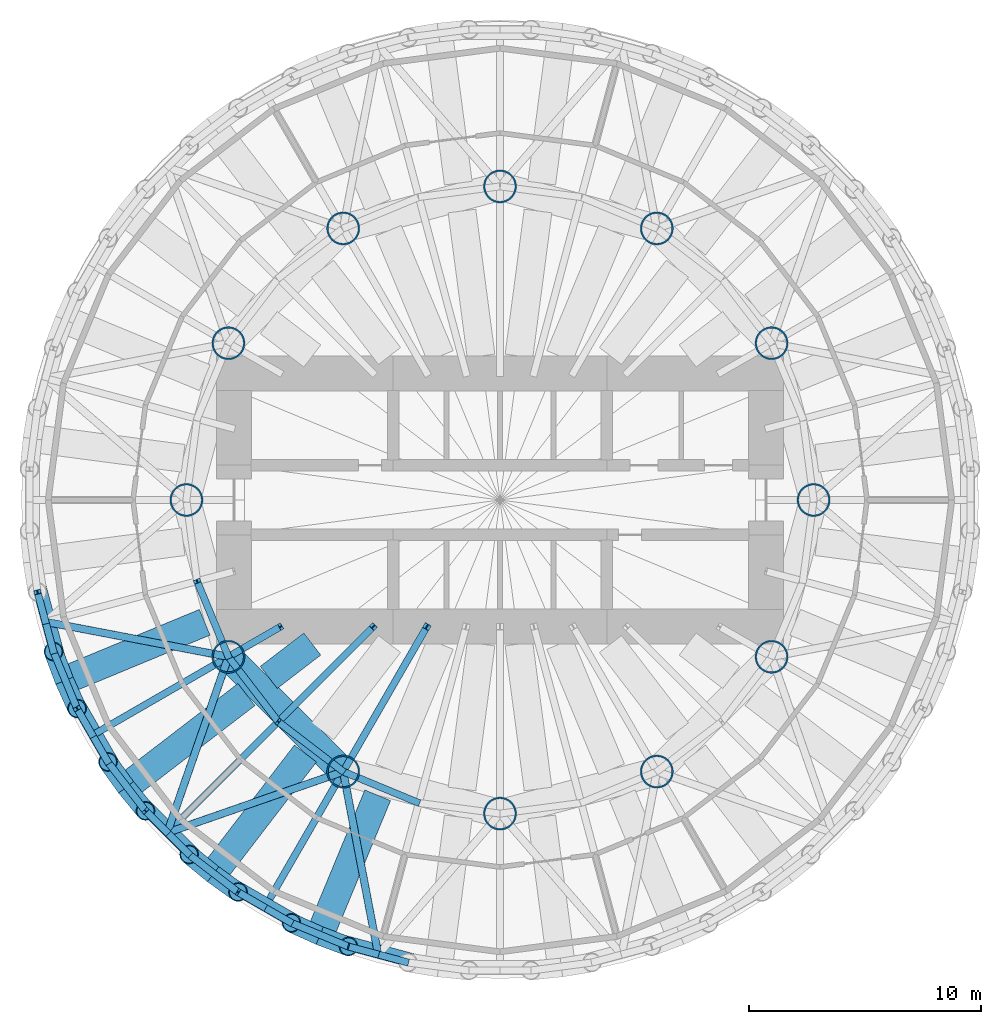
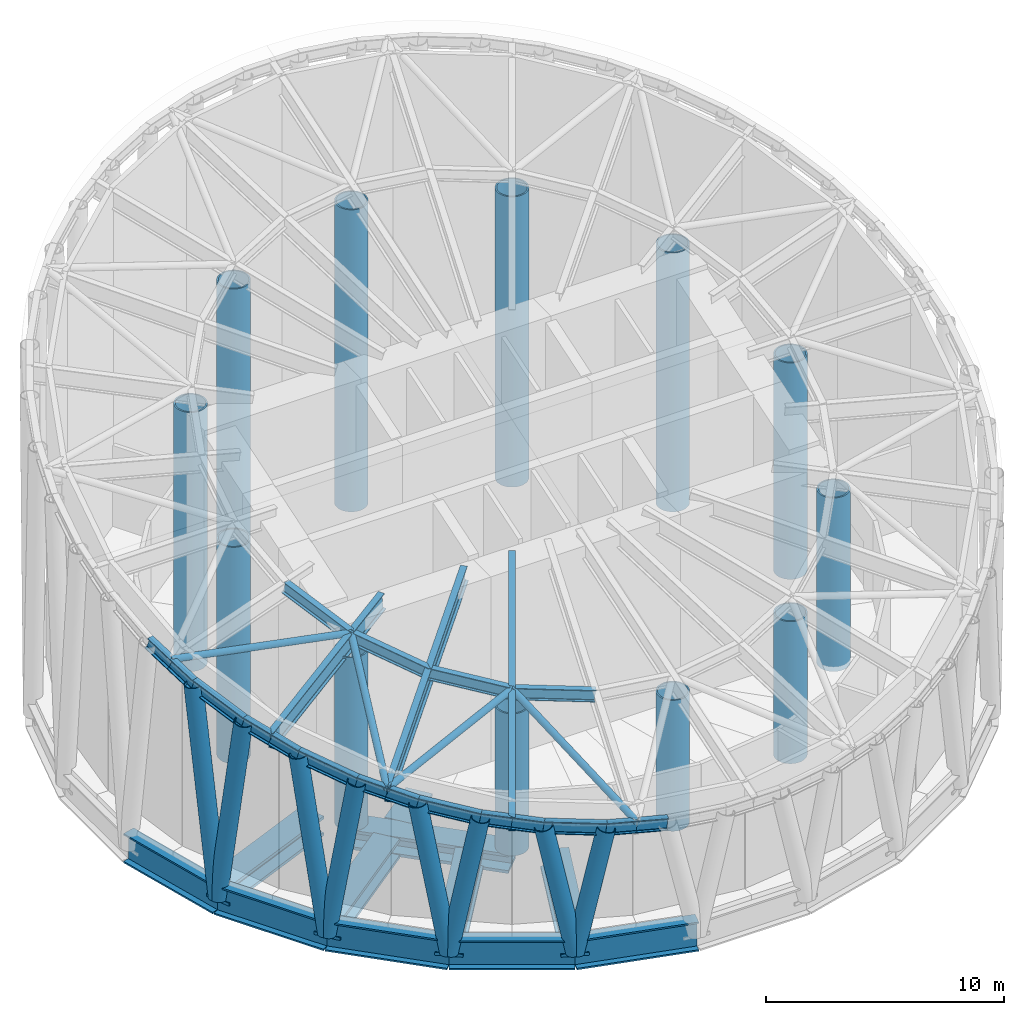
# One storey, part 1 of 9: 32 beams, 12 columns, 12 members.
"""IFC4 building model written with IfcOpenShell, lengths in metres."""

from ifc_helpers import new_model, si_unit, direction, frame, origin, origin_2d, place, context, subcontext, project, spatial, hollow_circle, i_section, extrude, material, material_profile, profile_set, type_object, element, save


model = new_model("IFC4")

# Units and contexts
model_context = context("Model", 3, precision=1e-05, world=origin(), true_north=direction((0.0, 1.0)))
body_context = subcontext(model_context, "Body", "Model", "MODEL_VIEW")
ifc_project = project(units=[si_unit("LENGTHUNIT", "METRE"), si_unit("AREAUNIT", "SQUARE_METRE"), si_unit("VOLUMEUNIT", "CUBIC_METRE"), si_unit("PLANEANGLEUNIT", "RADIAN"), si_unit("MASSUNIT", "GRAM", prefix="KILO")], contexts=[model_context])

# Site, building, storey
site_placement = place(None, origin())
site = spatial("IfcSite", under=ifc_project, at=site_placement, CompositionType="ELEMENT")
building_placement = place(site_placement, origin())
building = spatial("IfcBuilding", under=site, at=building_placement, Name="Qaws Media Tower", CompositionType="ELEMENT")
storey_placement = place(building_placement, frame((0.0, 0.0, 286.39990234375)))
storey = spatial("IfcBuildingStorey", under=building, at=storey_placement, Name="L66", CompositionType="ELEMENT", Elevation=286.39990234375)

# Columns
ifc_material_1 = material(Name="Steel S460", Category="steel")
ifc_material_profile_1 = material_profile(ifc_material_1, hollow_circle(Radius=0.7109375, WallThickness=0.070068359375, at=origin_2d()), Name="CHS 1422x70")
ifc_profile_set_1 = profile_set([ifc_material_profile_1], Name="Steel S460")
column_type = type_object("IfcColumnType", Name="Inner column CHS 1422x70", PredefinedType="COLUMN", material=ifc_profile_set_1)
column_1_placement = place(storey_placement, frame((73.5, 50.0, -0.25), z_axis=(0.0, 0.0, 1.0), x_axis=(1.0, 0.0, 0.0)))
element("IfcColumn", 1, at=column_1_placement, inside=storey, type_object=column_type, Name="C5 inner column I01 L66", PredefinedType="COLUMN", context=body_context, shape_type="SweptSolid", body=[
    extrude(hollow_circle(Radius=0.7109375, WallThickness=0.070068359375, at=origin_2d()), origin(), (0.0, 0.0, 1.0), 11.09716796875),
])
column_2_placement = place(storey_placement, frame((71.69140625, 56.75, -0.25), z_axis=(0.0, 0.0, 1.0), x_axis=(1.0, 0.0, 0.0)))
element("IfcColumn", 2, at=column_2_placement, inside=storey, type_object=column_type, Name="C5 inner column I02 L66", PredefinedType="COLUMN", context=body_context, shape_type="SweptSolid", body=[
    extrude(hollow_circle(Radius=0.7109375, WallThickness=0.070068359375, at=origin_2d()), origin(), (0.0, 0.0, 1.0), 13.28515625),
])
column_3_placement = place(storey_placement, frame((66.75, 61.69140625, -0.25), z_axis=(0.0, 0.0, 1.0), x_axis=(1.0, 0.0, 0.0)))
element("IfcColumn", 3, at=column_3_placement, inside=storey, type_object=column_type, Name="C5 inner column I03 L66", PredefinedType="COLUMN", context=body_context, shape_type="SweptSolid", body=[
    extrude(hollow_circle(Radius=0.7109375, WallThickness=0.070068359375, at=origin_2d()), origin(), (0.0, 0.0, 1.0), 14.885498046875),
])
column_4_placement = place(storey_placement, frame((60.0, 63.5, -0.25), z_axis=(0.0, 0.0, 1.0), x_axis=(1.0, 0.0, 0.0)))
element("IfcColumn", 4, at=column_4_placement, inside=storey, type_object=column_type, Name="C5 inner column I04 L66", PredefinedType="COLUMN", context=body_context, shape_type="SweptSolid", body=[
    extrude(hollow_circle(Radius=0.7109375, WallThickness=0.070068359375, at=origin_2d()), origin(), (0.0, 0.0, 1.0), 15.486083984375),
])
column_5_placement = place(storey_placement, frame((53.25, 61.69140625, -0.25), z_axis=(0.0, 0.0, 1.0), x_axis=(1.0, 0.0, 0.0)))
element("IfcColumn", 5, at=column_5_placement, inside=storey, type_object=column_type, Name="C5 inner column I05 L66", PredefinedType="COLUMN", context=body_context, shape_type="SweptSolid", body=[
    extrude(hollow_circle(Radius=0.7109375, WallThickness=0.070068359375, at=origin_2d()), origin(), (0.0, 0.0, 1.0), 14.885498046875),
])
column_6_placement = place(storey_placement, frame((48.30859375, 56.75, -0.25), z_axis=(0.0, 0.0, 1.0), x_axis=(1.0, 0.0, 0.0)))
element("IfcColumn", 6, at=column_6_placement, inside=storey, type_object=column_type, Name="C5 inner column I06 L66", PredefinedType="COLUMN", context=body_context, shape_type="SweptSolid", body=[
    extrude(hollow_circle(Radius=0.7109375, WallThickness=0.070068359375, at=origin_2d()), origin(), (0.0, 0.0, 1.0), 13.28515625),
])
column_7_placement = place(storey_placement, frame((46.5, 50.0, -0.25), z_axis=(0.0, 0.0, 1.0), x_axis=(1.0, 0.0, 0.0)))
element("IfcColumn", 7, at=column_7_placement, inside=storey, type_object=column_type, Name="C5 inner column I07 L66", PredefinedType="COLUMN", context=body_context, shape_type="SweptSolid", body=[
    extrude(hollow_circle(Radius=0.7109375, WallThickness=0.070068359375, at=origin_2d()), origin(), (0.0, 0.0, 1.0), 11.09716796875),
])
column_8_placement = place(storey_placement, frame((48.30859375, 43.25, -0.25), z_axis=(0.0, 0.0, 1.0), x_axis=(1.0, 0.0, 0.0)))
element("IfcColumn", 8, at=column_8_placement, inside=storey, type_object=column_type, Name="C5 inner column I08 L66", PredefinedType="COLUMN", context=body_context, shape_type="SweptSolid", body=[
    extrude(hollow_circle(Radius=0.7109375, WallThickness=0.070068359375, at=origin_2d()), origin(), (0.0, 0.0, 1.0), 8.898681640625),
])
column_9_placement = place(storey_placement, frame((53.25, 38.30859375, -0.25), z_axis=(0.0, 0.0, 1.0), x_axis=(1.0, 0.0, 0.0)))
element("IfcColumn", 9, at=column_9_placement, inside=storey, type_object=column_type, Name="C5 inner column I09 L66", PredefinedType="COLUMN", context=body_context, shape_type="SweptSolid", body=[
    extrude(hollow_circle(Radius=0.7109375, WallThickness=0.070068359375, at=origin_2d()), origin(), (0.0, 0.0, 1.0), 7.287841796875),
])
column_10_placement = place(storey_placement, frame((60.0, 36.5, -0.25), z_axis=(0.0, 0.0, 1.0), x_axis=(1.0, 0.0, 0.0)))
element("IfcColumn", 10, at=column_10_placement, inside=storey, type_object=column_type, Name="C5 inner column I10 L66", PredefinedType="COLUMN", context=body_context, shape_type="SweptSolid", body=[
    extrude(hollow_circle(Radius=0.7109375, WallThickness=0.070068359375, at=origin_2d()), origin(), (0.0, 0.0, 1.0), 6.713134765625),
])
column_11_placement = place(storey_placement, frame((66.75, 38.30859375, -0.25), z_axis=(0.0, 0.0, 1.0), x_axis=(1.0, 0.0, 0.0)))
element("IfcColumn", 11, at=column_11_placement, inside=storey, type_object=column_type, Name="C5 inner column I11 L66", PredefinedType="COLUMN", context=body_context, shape_type="SweptSolid", body=[
    extrude(hollow_circle(Radius=0.7109375, WallThickness=0.070068359375, at=origin_2d()), origin(), (0.0, 0.0, 1.0), 7.287841796875),
])
column_12_placement = place(storey_placement, frame((71.69140625, 43.25, -0.25), z_axis=(0.0, 0.0, 1.0), x_axis=(1.0, 0.0, 0.0)))
element("IfcColumn", 12, at=column_12_placement, inside=storey, type_object=column_type, Name="C5 inner column I12 L66", PredefinedType="COLUMN", context=body_context, shape_type="SweptSolid", body=[
    extrude(hollow_circle(Radius=0.7109375, WallThickness=0.070068359375, at=origin_2d()), origin(), (0.0, 0.0, 1.0), 8.898681640625),
])

# Members
ifc_material_2 = material(Name="Steel S355", Category="steel")
ifc_material_profile_2 = material_profile(ifc_material_2, hollow_circle(Radius=0.406494140625, WallThickness=0.0400390625, at=origin_2d()), Name="CHS 813x40")
ifc_profile_set_2 = profile_set([ifc_material_profile_2], Name="Steel S355")
member_type_1 = type_object("IfcMemberType", Name="Crown diagrid member CHS 813x40", PredefinedType="USERDEFINED", material=ifc_profile_set_2)
member_1_placement = place(storey_placement, frame((41.245361328125, 42.2314453125, -1.0), z_axis=(0.057027765099, -0.1258929193, 0.990403355648), x_axis=(0.910900743687, 0.412625538656, 0.0)))
element("IfcMember", 13, at=member_1_placement, inside=storey, type_object=member_type_1, Name="DG5 crown diagrid A14", ObjectType="DIAGRID", PredefinedType="USERDEFINED", context=body_context, shape_type="SweptSolid", body=[
    extrude(hollow_circle(Radius=0.406494140625, WallThickness=0.0400390625, at=origin_2d()), origin(), (0.0, 0.0, 1.0), 9.611083984375),
])
member_2_placement = place(storey_placement, frame((41.245361328125, 42.2314453125, -1.0), z_axis=(-0.044997898047, 0.119548406235, 0.991808130506), x_axis=(-0.935898018612, -0.352271058645, 0.0)))
element("IfcMember", 14, at=member_2_placement, inside=storey, type_object=member_type_1, Name="DG5 crown diagrid B14", ObjectType="DIAGRID", PredefinedType="USERDEFINED", context=body_context, shape_type="SweptSolid", body=[
    extrude(hollow_circle(Radius=0.406494140625, WallThickness=0.0400390625, at=origin_2d()), origin(), (0.0, 0.0, 1.0), 10.40087890625),
])
member_3_placement = place(storey_placement, frame((43.89501953125, 37.64208984375, -1.0), z_axis=(0.102806764596, -0.125298537204, 0.986778113726), x_axis=(0.773080303717, 0.634308161704, 0.0)))
element("IfcMember", 15, at=member_3_placement, inside=storey, type_object=member_type_1, Name="DG5 crown diagrid A15", ObjectType="DIAGRID", PredefinedType="USERDEFINED", context=body_context, shape_type="SweptSolid", body=[
    extrude(hollow_circle(Radius=0.406494140625, WallThickness=0.0400390625, at=origin_2d()), origin(), (0.0, 0.0, 1.0), 8.1953125),
])
member_4_placement = place(storey_placement, frame((43.89501953125, 37.64208984375, -1.0), z_axis=(-0.087237070929, 0.121719105589, 0.988723496631), x_axis=(-0.812801175395, -0.582541199639, 0.0)))
element("IfcMember", 16, at=member_4_placement, inside=storey, type_object=member_type_1, Name="DG5 crown diagrid B15", ObjectType="DIAGRID", PredefinedType="USERDEFINED", context=body_context, shape_type="SweptSolid", body=[
    extrude(hollow_circle(Radius=0.406494140625, WallThickness=0.0400390625, at=origin_2d()), origin(), (0.0, 0.0, 1.0), 8.87158203125),
])
member_5_placement = place(storey_placement, frame((47.64208984375, 33.89501953125, -1.0), z_axis=(0.152573445838, -0.109350627019, 0.98222389708), x_axis=(0.582541199639, 0.812801175395, 0.0)))
element("IfcMember", 17, at=member_5_placement, inside=storey, type_object=member_type_1, Name="DG5 crown diagrid A16", ObjectType="DIAGRID", PredefinedType="USERDEFINED", context=body_context, shape_type="SweptSolid", body=[
    extrude(hollow_circle(Radius=0.406494140625, WallThickness=0.0400390625, at=origin_2d()), origin(), (0.0, 0.0, 1.0), 7.077392578125),
])
member_6_placement = place(storey_placement, frame((47.64208984375, 33.89501953125, -1.0), z_axis=(-0.135217273694, 0.110945033647, 0.984584932042), x_axis=(-0.634308161704, -0.773080303717, 0.0)))
element("IfcMember", 18, at=member_6_placement, inside=storey, type_object=member_type_1, Name="DG5 crown diagrid B16", ObjectType="DIAGRID", PredefinedType="USERDEFINED", context=body_context, shape_type="SweptSolid", body=[
    extrude(hollow_circle(Radius=0.406494140625, WallThickness=0.0400390625, at=origin_2d()), origin(), (0.0, 0.0, 1.0), 7.593994140625),
])
member_7_placement = place(storey_placement, frame((52.2314453125, 31.245361328125, -1.0), z_axis=(0.196395214799, -0.073922958329, 0.977734276701), x_axis=(0.352271058645, 0.935898018612, 0.0)))
element("IfcMember", 19, at=member_7_placement, inside=storey, type_object=member_type_1, Name="DG5 crown diagrid A17", ObjectType="DIAGRID", PredefinedType="USERDEFINED", context=body_context, shape_type="SweptSolid", body=[
    extrude(hollow_circle(Radius=0.406494140625, WallThickness=0.0400390625, at=origin_2d()), origin(), (0.0, 0.0, 1.0), 6.3310546875),
])
member_8_placement = place(storey_placement, frame((52.2314453125, 31.245361328125, -1.0), z_axis=(-0.181834427022, 0.082368500538, 0.979873293477), x_axis=(-0.412625538656, -0.910900743687, 0.0)))
element("IfcMember", 20, at=member_8_placement, inside=storey, type_object=member_type_1, Name="DG5 crown diagrid B17", ObjectType="DIAGRID", PredefinedType="USERDEFINED", context=body_context, shape_type="SweptSolid", body=[
    extrude(hollow_circle(Radius=0.406494140625, WallThickness=0.0400390625, at=origin_2d()), origin(), (0.0, 0.0, 1.0), 6.654296875),
])

# Beams
ifc_material_3 = material(Name="Steel S355", Category="steel")
ifc_material_profile_3 = material_profile(ifc_material_3, i_section(OverallWidth=0.304931640625, OverallDepth=0.6201171875, WebThickness=0.02099609375, FlangeThickness=0.0400390625, FilletRadius=0.027099609375, at=origin_2d()), Name="HE 600 M")
ifc_profile_set_3 = profile_set([ifc_material_profile_3], Name="Steel S355")
beam_type_1 = type_object("IfcBeamType", Name="Crown edge beam HE 600 M", PredefinedType="BEAM", material=ifc_profile_set_3)
beam_1_placement = place(storey_placement, frame((40.090087890625, 46.03955078125, 10.149169921875), z_axis=(0.246891496102, -0.921587873153, -0.299533606145), x_axis=(0.965938200976, 0.258772857725, 0.0)))
element("IfcBeam", 21, at=beam_1_placement, inside=storey, type_object=beam_type_1, Name="B5 crown edge beam 26 part a", PredefinedType="BEAM", context=body_context, shape_type="SweptSolid", body=[
    extrude(i_section(OverallWidth=0.304931640625, OverallDepth=0.6201171875, WebThickness=0.02099609375, FlangeThickness=0.0400390625, FilletRadius=0.027099609375, at=origin_2d()), origin(), (0.0, 0.0, 1.0), 1.391357421875),
])
beam_2_placement = place(storey_placement, frame((40.43359375, 44.75732421875, 9.732421875), z_axis=(0.247016319805, -0.921574380637, -0.299472200218), x_axis=(0.965904544249, 0.258898457701, 0.0)))
element("IfcBeam", 22, at=beam_2_placement, inside=storey, type_object=beam_type_1, Name="B5 crown edge beam 26 part b", PredefinedType="BEAM", context=body_context, shape_type="SweptSolid", body=[
    extrude(i_section(OverallWidth=0.304931640625, OverallDepth=0.6201171875, WebThickness=0.02099609375, FlangeThickness=0.0400390625, FilletRadius=0.027099609375, at=origin_2d()), origin(), (0.0, 0.0, 1.0), 1.3916015625),
])
beam_3_placement = place(storey_placement, frame((40.77734375, 43.474853515625, 9.315673828125), z_axis=(0.366502850837, -0.884908012509, -0.287425589893), x_axis=(0.923893577046, 0.382649524099, 0.0)))
element("IfcBeam", 23, at=beam_3_placement, inside=storey, type_object=beam_type_1, Name="B5 crown edge beam 27", PredefinedType="BEAM", context=body_context, shape_type="SweptSolid", body=[
    extrude(i_section(OverallWidth=0.304931640625, OverallDepth=0.6201171875, WebThickness=0.02099609375, FlangeThickness=0.0400390625, FilletRadius=0.027099609375, at=origin_2d()), origin(), (0.0, 0.0, 1.0), 2.7724609375),
])
beam_4_placement = place(storey_placement, frame((41.79345703125, 41.021484375, 8.518798828125), z_axis=(0.481321096463, -0.833593616493, -0.271019712646), x_axis=(0.866004891035, 0.500035527442, 0.0)))
element("IfcBeam", 24, at=beam_4_placement, inside=storey, type_object=beam_type_1, Name="B5 crown edge beam 28 part a", PredefinedType="BEAM", context=body_context, shape_type="SweptSolid", body=[
    extrude(i_section(OverallWidth=0.304931640625, OverallDepth=0.6201171875, WebThickness=0.02099609375, FlangeThickness=0.0400390625, FilletRadius=0.027099609375, at=origin_2d()), origin(), (0.0, 0.0, 1.0), 1.379150390625),
])
beam_5_placement = place(storey_placement, frame((42.457275390625, 39.871826171875, 8.14501953125), z_axis=(0.48127315493, -0.833687590923, -0.270815714249), x_axis=(0.866050862637, 0.499955901382, 0.0)))
element("IfcBeam", 25, at=beam_5_placement, inside=storey, type_object=beam_type_1, Name="B5 crown edge beam 28 part b", PredefinedType="BEAM", context=body_context, shape_type="SweptSolid", body=[
    extrude(i_section(OverallWidth=0.304931640625, OverallDepth=0.6201171875, WebThickness=0.02099609375, FlangeThickness=0.0400390625, FilletRadius=0.027099609375, at=origin_2d()), origin(), (0.0, 0.0, 1.0), 1.37939453125),
])
beam_6_placement = place(storey_placement, frame((43.12109375, 38.721923828125, 7.771484375), z_axis=(0.589472117613, -0.768245718604, -0.249642020508), x_axis=(0.793365088638, 0.608746117959, 0.0)))
element("IfcBeam", 26, at=beam_6_placement, inside=storey, type_object=beam_type_1, Name="B5 crown edge beam 29", PredefinedType="BEAM", context=body_context, shape_type="SweptSolid", body=[
    extrude(i_section(OverallWidth=0.304931640625, OverallDepth=0.6201171875, WebThickness=0.02099609375, FlangeThickness=0.0400390625, FilletRadius=0.027099609375, at=origin_2d()), origin(), (0.0, 0.0, 1.0), 2.7421875),
])
for number, where, z_axis, x_axis, name in (
    (27, (44.737548828125, 36.615234375, 7.0869140625), (0.689254594814, -0.689075381451, -0.223837490619), (0.707014835699, 0.70719871472, 0.0), "B5 crown edge beam 30 part a"),
    (28, (45.676513671875, 35.676513671875, 6.781982421875), (0.689075381451, -0.689254594814, -0.223837490619), (0.70719871472, 0.707014835699, 0.0), "B5 crown edge beam 30 part b"),
):
    element("IfcBeam", number, at=place(storey_placement, frame(where, z_axis=z_axis, x_axis=x_axis)), inside=storey, type_object=beam_type_1, Name=name, PredefinedType="BEAM", context=body_context, shape_type="SweptSolid", body=[
        extrude(i_section(OverallWidth=0.304931640625, OverallDepth=0.6201171875, WebThickness=0.02099609375, FlangeThickness=0.0400390625, FilletRadius=0.027099609375, at=origin_2d()), origin(), (0.0, 0.0, 1.0), 1.3623046875),
    ])
beam_7_placement = place(storey_placement, frame((46.615234375, 34.737548828125, 6.47705078125), z_axis=(0.778277328029, -0.597169334672, -0.194095817582), x_axis=(0.608746117959, 0.793365088638, 0.0)))
element("IfcBeam", 29, at=beam_7_placement, inside=storey, type_object=beam_type_1, Name="B5 crown edge beam 31", PredefinedType="BEAM", context=body_context, shape_type="SweptSolid", body=[
    extrude(i_section(OverallWidth=0.304931640625, OverallDepth=0.6201171875, WebThickness=0.02099609375, FlangeThickness=0.0400390625, FilletRadius=0.027099609375, at=origin_2d()), origin(), (0.0, 0.0, 1.0), 2.706787109375),
])
beam_8_placement = place(storey_placement, frame((48.721923828125, 33.12109375, 5.95166015625), z_axis=(0.854856602064, -0.493493652019, -0.16026292561), x_axis=(0.499955901382, 0.866050862637, 0.0)))
element("IfcBeam", 30, at=beam_8_placement, inside=storey, type_object=beam_type_1, Name="B5 crown edge beam 32 part a", PredefinedType="BEAM", context=body_context, shape_type="SweptSolid", body=[
    extrude(i_section(OverallWidth=0.304931640625, OverallDepth=0.6201171875, WebThickness=0.02099609375, FlangeThickness=0.0400390625, FilletRadius=0.027099609375, at=origin_2d()), origin(), (0.0, 0.0, 1.0), 1.34521484375),
])
beam_9_placement = place(storey_placement, frame((49.871826171875, 32.457275390625, 5.736083984375), z_axis=(0.854782842826, -0.493555861042, -0.160464649195), x_axis=(0.500035527442, 0.866004891035, 0.0)))
element("IfcBeam", 31, at=beam_9_placement, inside=storey, type_object=beam_type_1, Name="B5 crown edge beam 32 part b", PredefinedType="BEAM", context=body_context, shape_type="SweptSolid", body=[
    extrude(i_section(OverallWidth=0.304931640625, OverallDepth=0.6201171875, WebThickness=0.02099609375, FlangeThickness=0.0400390625, FilletRadius=0.027099609375, at=origin_2d()), origin(), (0.0, 0.0, 1.0), 1.344970703125),
])
beam_10_placement = place(storey_placement, frame((51.021484375, 31.79345703125, 5.520263671875), z_axis=(0.916837778434, -0.379727220006, -0.123352042635), x_axis=(0.382649524099, 0.923893577046, 0.0)))
element("IfcBeam", 32, at=beam_10_placement, inside=storey, type_object=beam_type_1, Name="B5 crown edge beam 33", PredefinedType="BEAM", context=body_context, shape_type="SweptSolid", body=[
    extrude(i_section(OverallWidth=0.304931640625, OverallDepth=0.6201171875, WebThickness=0.02099609375, FlangeThickness=0.0400390625, FilletRadius=0.027099609375, at=origin_2d()), origin(), (0.0, 0.0, 1.0), 2.67578125),
])
beam_11_placement = place(storey_placement, frame((53.474853515625, 30.77734375, 5.190185546875), z_axis=(0.962497434168, -0.257985225073, -0.083918489406), x_axis=(0.258898457701, 0.965904544249, 0.0)))
element("IfcBeam", 33, at=beam_11_placement, inside=storey, type_object=beam_type_1, Name="B5 crown edge beam 34 part a", PredefinedType="BEAM", context=body_context, shape_type="SweptSolid", body=[
    extrude(i_section(OverallWidth=0.304931640625, OverallDepth=0.6201171875, WebThickness=0.02099609375, FlangeThickness=0.0400390625, FilletRadius=0.027099609375, at=origin_2d()), origin(), (0.0, 0.0, 1.0), 1.33251953125),
])
beam_12_placement = place(storey_placement, frame((54.75732421875, 30.43359375, 5.078369140625), z_axis=(0.962544235999, -0.257863621487, -0.083755277199), x_axis=(0.258772857725, 0.965938200976, 0.0)))
element("IfcBeam", 34, at=beam_12_placement, inside=storey, type_object=beam_type_1, Name="B5 crown edge beam 34 part b", PredefinedType="BEAM", context=body_context, shape_type="SweptSolid", body=[
    extrude(i_section(OverallWidth=0.304931640625, OverallDepth=0.6201171875, WebThickness=0.02099609375, FlangeThickness=0.0400390625, FilletRadius=0.027099609375, at=origin_2d()), origin(), (0.0, 0.0, 1.0), 1.33203125),
])
ifc_material_4 = material(Name="Steel S355", Category="steel")
ifc_material_profile_4 = material_profile(ifc_material_4, i_section(OverallWidth=0.300048828125, OverallDepth=0.89990234375, WebThickness=0.0185546875, FlangeThickness=0.034912109375, FilletRadius=0.030029296875, at=origin_2d()), Name="HE 900 B")
ifc_profile_set_4 = profile_set([ifc_material_profile_4], Name="Steel S355")
beam_type_2 = type_object("IfcBeamType", Name="Crown rafter HE 900 B", PredefinedType="BEAM", material=ifc_profile_set_4)
beam_13_placement = place(storey_placement, frame((50.560302734375, 44.550048828125, 9.527099609375), z_axis=(-0.854821637434, -0.493524923667, -0.160353103786), x_axis=(0.499995001195, -0.866028289827, 0.0)))
element("IfcBeam", 35, at=beam_13_placement, inside=storey, type_object=beam_type_2, Name="B4 crown rafter 15", PredefinedType="BEAM", context=body_context, shape_type="SweptSolid", body=[
    extrude(i_section(OverallWidth=0.300048828125, OverallDepth=0.89990234375, WebThickness=0.0185546875, FlangeThickness=0.034912109375, FilletRadius=0.030029296875, at=origin_2d()), origin(), (0.0, 0.0, 1.0), 9.479248046875),
])
beam_14_placement = place(storey_placement, frame((54.550048828125, 44.550048828125, 9.529052734375), z_axis=(-0.689150386307, -0.689150386307, -0.223927421512), x_axis=(0.707106781187, -0.707106781187, 0.0)))
element("IfcBeam", 36, at=beam_14_placement, inside=storey, type_object=beam_type_2, Name="B4 crown rafter 16", PredefinedType="BEAM", context=body_context, shape_type="SweptSolid", body=[
    extrude(i_section(OverallWidth=0.300048828125, OverallDepth=0.89990234375, WebThickness=0.0185546875, FlangeThickness=0.034912109375, FilletRadius=0.030029296875, at=origin_2d()), origin(), (0.0, 0.0, 1.0), 12.8759765625),
])
beam_15_placement = place(storey_placement, frame((56.853515625, 44.550048828125, 9.533203125), z_axis=(-0.48130603486, -0.83365564635, -0.270855614889), x_axis=(0.8660277775, -0.499995888581, 0.0)))
element("IfcBeam", 37, at=beam_15_placement, inside=storey, type_object=beam_type_2, Name="B4 crown rafter 17", PredefinedType="BEAM", context=body_context, shape_type="SweptSolid", body=[
    extrude(i_section(OverallWidth=0.300048828125, OverallDepth=0.89990234375, WebThickness=0.0185546875, FlangeThickness=0.034912109375, FilletRadius=0.030029296875, at=origin_2d()), origin(), (0.0, 0.0, 1.0), 14.505615234375),
])

# Members
ifc_material_5 = material(Name="Steel S355", Category="steel")
ifc_material_profile_5 = material_profile(ifc_material_5, hollow_circle(Radius=0.161865234375, WallThickness=0.01611328125, at=origin_2d()), Name="CHS 323.9x16")
ifc_profile_set_5 = profile_set([ifc_material_profile_5], Name="Steel S355")
member_type_2 = type_object("IfcMemberType", Name="Crown roof brace CHS 323.9x16", PredefinedType="BRACE", material=ifc_profile_set_5)
member_9_placement = place(storey_placement, frame((48.30859375, 43.25, 9.432373046875), z_axis=(-0.980343185133, 0.187643812779, 0.060967523232), x_axis=(-0.187993527685, -0.982170267086, 0.0)))
element("IfcMember", 38, at=member_9_placement, inside=storey, type_object=member_type_2, Name="CB1 crown roof brace 14", PredefinedType="BRACE", context=body_context, shape_type="SweptSolid", body=[
    extrude(hollow_circle(Radius=0.161865234375, WallThickness=0.01611328125, at=origin_2d()), origin(), (0.0, 0.0, 1.0), 8.032958984375),
])
member_10_placement = place(storey_placement, frame((48.30859375, 43.25, 9.432373046875), z_axis=(-0.313831267203, -0.903010828299, -0.293396284402), x_axis=(0.944580977399, -0.328278505443, 0.0)))
element("IfcMember", 39, at=member_10_placement, inside=storey, type_object=member_type_2, Name="CB1 crown roof brace 15", PredefinedType="BRACE", context=body_context, shape_type="SweptSolid", body=[
    extrude(hollow_circle(Radius=0.161865234375, WallThickness=0.01611328125, at=origin_2d()), origin(), (0.0, 0.0, 1.0), 8.386962890625),
])
member_11_placement = place(storey_placement, frame((53.25, 38.30859375, 7.826904296875), z_axis=(-0.939252911687, -0.32642679607, -0.106063729398), x_axis=(0.328278505443, -0.944580977399, 0.0)))
element("IfcMember", 40, at=member_11_placement, inside=storey, type_object=member_type_2, Name="CB1 crown roof brace 16", PredefinedType="BRACE", context=body_context, shape_type="SweptSolid", body=[
    extrude(hollow_circle(Radius=0.161865234375, WallThickness=0.01611328125, at=origin_2d()), origin(), (0.0, 0.0, 1.0), 8.063232421875),
])
member_12_placement = place(storey_placement, frame((53.25, 38.30859375, 7.826904296875), z_axis=(0.179095894444, -0.935684673011, -0.304004692868), x_axis=(0.982170267086, 0.187993527685, 0.0)))
element("IfcMember", 41, at=member_12_placement, inside=storey, type_object=member_type_2, Name="CB1 crown roof brace 17", PredefinedType="BRACE", context=body_context, shape_type="SweptSolid", body=[
    extrude(hollow_circle(Radius=0.161865234375, WallThickness=0.01611328125, at=origin_2d()), origin(), (0.0, 0.0, 1.0), 8.416259765625),
])

# Beams
ifc_material_6 = material(Name="Steel S355", Category="steel")
ifc_material_profile_6 = material_profile(ifc_material_6, i_section(OverallWidth=0.300048828125, OverallDepth=0.60009765625, WebThickness=0.015380859375, FlangeThickness=0.030029296875, FilletRadius=0.027099609375, at=origin_2d()), Name="HE 600 B")
ifc_profile_set_6 = profile_set([ifc_material_profile_6], Name="Steel S355")
beam_type_3 = type_object("IfcBeamType", Name="Crown tie ring HE 600 B", PredefinedType="BEAM", material=ifc_profile_set_6)
beam_16_placement = place(storey_placement, frame((46.9599609375, 46.505859375, 10.328857421875), z_axis=(0.366529070977, -0.884871775986, -0.28750370466), x_axis=(0.923878358498, 0.382686266672, 0.0)))
element("IfcBeam", 42, at=beam_16_placement, inside=storey, type_object=beam_type_3, Name="B17 crown tie ring 14", PredefinedType="BEAM", context=body_context, shape_type="SweptSolid", body=[
    extrude(i_section(OverallWidth=0.300048828125, OverallDepth=0.60009765625, WebThickness=0.015380859375, FlangeThickness=0.030029296875, FilletRadius=0.027099609375, at=origin_2d()), origin(), (0.0, 0.0, 1.0), 3.679443359375),
])
beam_17_placement = place(storey_placement, frame((48.30859375, 43.25, 9.26318359375), z_axis=(0.589515811886, -0.768222016126, -0.249611781523), x_axis=(0.793334224718, 0.608786340099, 0.0)))
element("IfcBeam", 43, at=beam_17_placement, inside=storey, type_object=beam_type_3, Name="B17 crown tie ring 15", PredefinedType="BEAM", context=body_context, shape_type="SweptSolid", body=[
    extrude(i_section(OverallWidth=0.300048828125, OverallDepth=0.60009765625, WebThickness=0.015380859375, FlangeThickness=0.030029296875, FilletRadius=0.027099609375, at=origin_2d()), origin(), (0.0, 0.0, 1.0), 3.639404296875),
])
beam_18_placement = place(storey_placement, frame((50.4541015625, 40.4541015625, 8.349853515625), z_axis=(0.778258787913, -0.597217798479, -0.194021030343), x_axis=(0.608786340099, 0.793334224718, 0.0)))
element("IfcBeam", 44, at=beam_18_placement, inside=storey, type_object=beam_type_3, Name="B17 crown tie ring 16", PredefinedType="BEAM", context=body_context, shape_type="SweptSolid", body=[
    extrude(i_section(OverallWidth=0.300048828125, OverallDepth=0.60009765625, WebThickness=0.015380859375, FlangeThickness=0.030029296875, FilletRadius=0.027099609375, at=origin_2d()), origin(), (0.0, 0.0, 1.0), 3.592529296875),
])
beam_19_placement = place(storey_placement, frame((53.25, 38.30859375, 7.64990234375), z_axis=(0.9168169605, -0.379761314472, -0.123401802947), x_axis=(0.382686266672, 0.923878358498, 0.0)))
element("IfcBeam", 45, at=beam_19_placement, inside=storey, type_object=beam_type_3, Name="B17 crown tie ring 17", PredefinedType="BEAM", context=body_context, shape_type="SweptSolid", body=[
    extrude(i_section(OverallWidth=0.300048828125, OverallDepth=0.60009765625, WebThickness=0.015380859375, FlangeThickness=0.030029296875, FilletRadius=0.027099609375, at=origin_2d()), origin(), (0.0, 0.0, 1.0), 3.55126953125),
])
ifc_material_7 = material(Name="Steel S460", Category="steel")
ifc_material_profile_7 = material_profile(ifc_material_7, i_section(OverallWidth=0.60009765625, OverallDepth=1.5, WebThickness=0.030029296875, FlangeThickness=0.080078125, at=origin_2d()), Name="PG 1500x600")
ifc_profile_set_7 = profile_set([ifc_material_profile_7], Name="Steel S460")
beam_type_4 = type_object("IfcBeamType", Name="Edge ring beam PG 1500x600", PredefinedType="BEAM", material=ifc_profile_set_7)
beam_20_placement = place(storey_placement, frame((39.873779296875, 47.350341796875, -1.0), z_axis=(0.258815145792, -0.965926871098, 0.0), x_axis=(0.965926871098, 0.258815145792, 0.0)))
element("IfcBeam", 46, at=beam_20_placement, inside=storey, type_object=beam_type_4, Name="RB5 edge ring beam L66-13", PredefinedType="BEAM", context=body_context, shape_type="SweptSolid", body=[
    extrude(i_section(OverallWidth=0.60009765625, OverallDepth=1.5, WebThickness=0.030029296875, FlangeThickness=0.080078125, at=origin_2d()), origin(), (0.0, 0.0, 1.0), 5.299560546875),
])
beam_21_placement = place(storey_placement, frame((41.245361328125, 42.2314453125, -1.0), z_axis=(0.499998950975, -0.866026009438, 0.0), x_axis=(0.866026009438, 0.499998950975, 0.0)))
element("IfcBeam", 47, at=beam_21_placement, inside=storey, type_object=beam_type_4, Name="RB5 edge ring beam L66-14", PredefinedType="BEAM", context=body_context, shape_type="SweptSolid", body=[
    extrude(i_section(OverallWidth=0.60009765625, OverallDepth=1.5, WebThickness=0.030029296875, FlangeThickness=0.080078125, at=origin_2d()), origin(), (0.0, 0.0, 1.0), 5.29931640625),
])
beam_22_placement = place(storey_placement, frame((43.89501953125, 37.64208984375, -1.0), z_axis=(0.707106781187, -0.707106781187, 0.0), x_axis=(0.707106781187, 0.707106781187, 0.0)))
element("IfcBeam", 48, at=beam_22_placement, inside=storey, type_object=beam_type_4, Name="RB5 edge ring beam L66-15", PredefinedType="BEAM", context=body_context, shape_type="SweptSolid", body=[
    extrude(i_section(OverallWidth=0.60009765625, OverallDepth=1.5, WebThickness=0.030029296875, FlangeThickness=0.080078125, at=origin_2d()), origin(), (0.0, 0.0, 1.0), 5.299072265625),
])
beam_23_placement = place(storey_placement, frame((47.64208984375, 33.89501953125, -1.0), z_axis=(0.866026009438, -0.499998950975, 0.0), x_axis=(0.499998950975, 0.866026009438, 0.0)))
element("IfcBeam", 49, at=beam_23_placement, inside=storey, type_object=beam_type_4, Name="RB5 edge ring beam L66-16", PredefinedType="BEAM", context=body_context, shape_type="SweptSolid", body=[
    extrude(i_section(OverallWidth=0.60009765625, OverallDepth=1.5, WebThickness=0.030029296875, FlangeThickness=0.080078125, at=origin_2d()), origin(), (0.0, 0.0, 1.0), 5.29931640625),
])
beam_24_placement = place(storey_placement, frame((52.2314453125, 31.245361328125, -1.0), z_axis=(0.965926871098, -0.258815145792, 0.0), x_axis=(0.258815145792, 0.965926871098, 0.0)))
element("IfcBeam", 50, at=beam_24_placement, inside=storey, type_object=beam_type_4, Name="RB5 edge ring beam L66-17", PredefinedType="BEAM", context=body_context, shape_type="SweptSolid", body=[
    extrude(i_section(OverallWidth=0.60009765625, OverallDepth=1.5, WebThickness=0.030029296875, FlangeThickness=0.080078125, at=origin_2d()), origin(), (0.0, 0.0, 1.0), 5.299560546875),
])
ifc_material_8 = material(Name="Steel S460", Category="steel")
ifc_material_profile_8 = material_profile(ifc_material_8, i_section(OverallWidth=1.199951171875, OverallDepth=1.0, WebThickness=0.06005859375, FlangeThickness=0.14990234375, at=origin_2d()), Name="PG 1000x1200")
ifc_profile_set_8 = profile_set([ifc_material_profile_8], Name="Steel S460")
beam_type_5 = type_object("IfcBeamType", Name="Inner ring girder PG 1000x1200", PredefinedType="BEAM", material=ifc_profile_set_8)
beam_25_placement = place(storey_placement, frame((48.30859375, 43.25, -0.75), z_axis=(0.707106781187, -0.707106781187, 0.0), x_axis=(0.707106781187, 0.707106781187, 0.0)))
element("IfcBeam", 51, at=beam_25_placement, inside=storey, type_object=beam_type_5, Name="B3 inner ring beam L66 I08-I09", PredefinedType="BEAM", context=body_context, shape_type="SweptSolid", body=[
    extrude(i_section(OverallWidth=1.199951171875, OverallDepth=1.0, WebThickness=0.06005859375, FlangeThickness=0.14990234375, at=origin_2d()), origin(), (0.0, 0.0, 1.0), 6.98828125),
])
ifc_material_9 = material(Name="Steel S355", Category="steel")
ifc_material_profile_9 = material_profile(ifc_material_9, i_section(OverallWidth=1.199951171875, OverallDepth=1.0, WebThickness=0.06005859375, FlangeThickness=0.14990234375, at=origin_2d()), Name="PG 1000x1200")
ifc_profile_set_9 = profile_set([ifc_material_profile_9], Name="Steel S355")
beam_type_6 = type_object("IfcBeamType", Name="Plant floor beam PG 1000x1200", PredefinedType="BEAM", material=ifc_profile_set_9)
for number, where, z_axis, x_axis, name in (
    (52, (47.28955078125, 44.735107421875, -0.75), (-0.923875378565, -0.382693460725, 0.0), (0.382693460725, -0.923875378565, 0.0), "B1 radial beam L66 14"),
    (53, (49.085205078125, 41.624755859375, -0.75), (-0.793346210904, -0.608770720094, 0.0), (0.608770720094, -0.793346210904, 0.0), "B1 radial beam L66 15"),
):
    element("IfcBeam", number, at=place(storey_placement, frame(where, z_axis=z_axis, x_axis=x_axis)), inside=storey, type_object=beam_type_6, Name=name, PredefinedType="BEAM", context=body_context, shape_type="SweptSolid", body=[
        extrude(i_section(OverallWidth=1.199951171875, OverallDepth=1.0, WebThickness=0.06005859375, FlangeThickness=0.14990234375, at=origin_2d()), origin(), (0.0, 0.0, 1.0), 6.542236328125),
    ])
beam_26_placement = place(storey_placement, frame((51.919921875, 43.800048828125, -0.75), z_axis=(-0.793330215724, -0.608791564346, 0.0), x_axis=(0.608791564346, -0.793330215724, 0.0)))
element("IfcBeam", 54, at=beam_26_placement, inside=storey, type_object=beam_type_6, Name="B6 radial beam L66 15", PredefinedType="BEAM", context=body_context, shape_type="SweptSolid", body=[
    extrude(i_section(OverallWidth=1.199951171875, OverallDepth=1.0, WebThickness=0.06005859375, FlangeThickness=0.14990234375, at=origin_2d()), origin(), (0.0, 0.0, 1.0), 2.36279296875),
])
for number, where, z_axis, x_axis, name in (
    (55, (51.624755859375, 39.085205078125, -0.75), (-0.608770720094, -0.793346210904, 0.0), (0.793346210904, -0.608770720094, 0.0), "B1 radial beam L66 16"),
    (56, (54.735107421875, 37.28955078125, -0.75), (-0.382693460725, -0.923875378565, 0.0), (0.923875378565, -0.382693460725, 0.0), "B1 radial beam L66 17"),
):
    element("IfcBeam", number, at=place(storey_placement, frame(where, z_axis=z_axis, x_axis=x_axis)), inside=storey, type_object=beam_type_6, Name=name, PredefinedType="BEAM", context=body_context, shape_type="SweptSolid", body=[
        extrude(i_section(OverallWidth=1.199951171875, OverallDepth=1.0, WebThickness=0.06005859375, FlangeThickness=0.14990234375, at=origin_2d()), origin(), (0.0, 0.0, 1.0), 6.542236328125),
    ])

save(model, "model.ifc")
